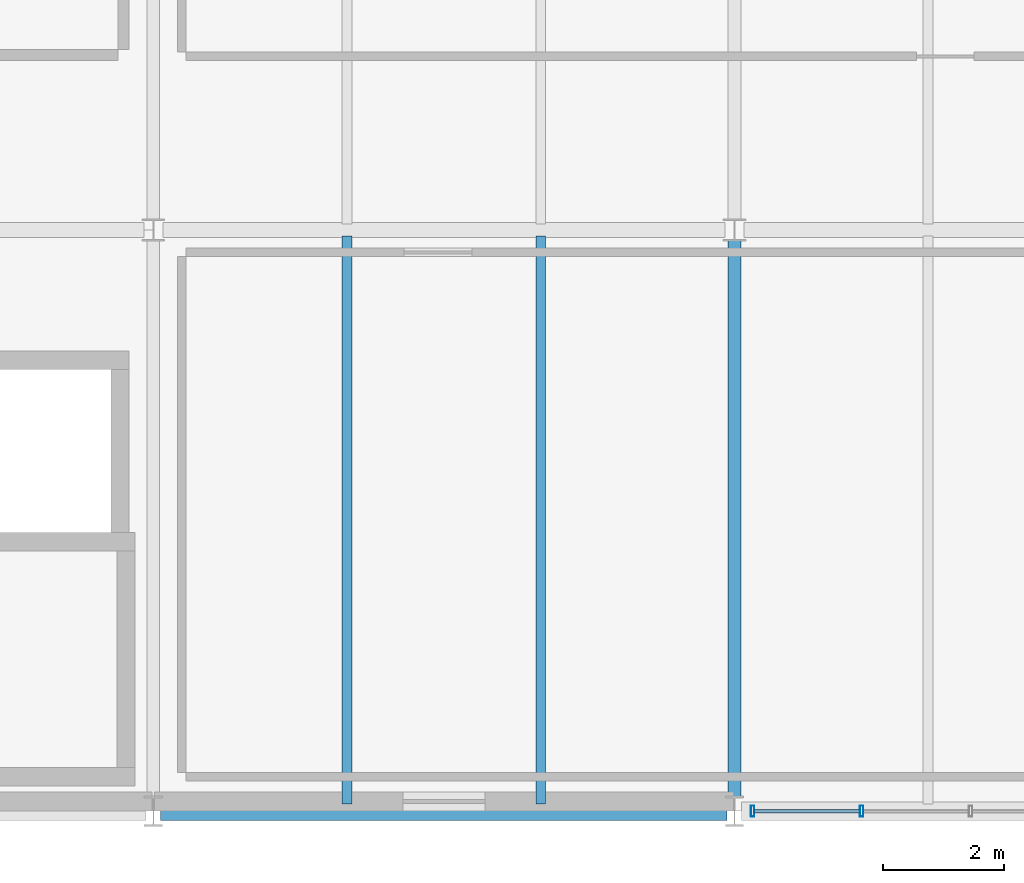
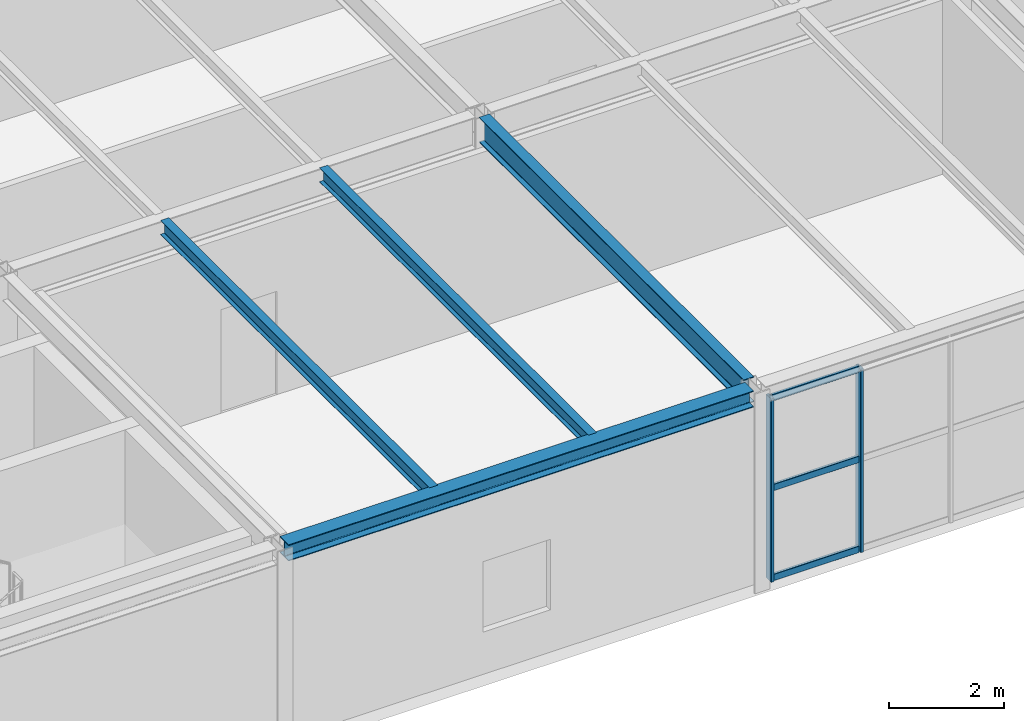
# One storey, part 29 of 170: 5 members, 4 beams, 1 element without a shape of its own.
"""IFC4 building model written with IfcOpenShell, lengths in metres."""

import ifcopenshell
import ifcopenshell.guid

model = None  # the IFC model being written
_history = None  # IfcOwnerHistory: only IFC2X3 demands one
_inside = {}  # id of a spatial element -> (the spatial element, [elements in it])
_under = {}  # id of a project, library or spatial element -> (it, [spatial elements below it])
_declared = {}  # id of a project -> (the project, [libraries it declares])
_typed = {}  # id of a type object -> (the type object, [elements of that type])
_made_of = {}  # id of a material, layer set ... -> (it, [elements and type objects made of it])


def new_model(schema):
    """Start an empty IFC model of exactly this schema.

    Asked for "IFC4X3", IfcOpenShell would pick the latest addendum, in which some entities
    have other attributes; the version numbers below select the first issue.
    IFC2X3 requires an IfcOwnerHistory on every rooted entity: one is made here for all.
    """
    global model, _history
    if schema == "IFC4X3":
        model = ifcopenshell.file(schema_version=(4, 3, 0, 0))
    else:
        model = ifcopenshell.file(schema=schema)
    _inside.clear()
    _under.clear()
    _declared.clear()
    _typed.clear()
    _made_of.clear()
    _history = None
    if model.schema == "IFC2X3":
        org = make("IfcOrganization", Name="unknown")
        user = make(
            "IfcPersonAndOrganization",
            ThePerson=make("IfcPerson", FamilyName="unknown"),
            TheOrganization=org,
        )
        app = make(
            "IfcApplication",
            ApplicationDeveloper=org,
            Version="unknown",
            ApplicationFullName="unknown",
            ApplicationIdentifier="unknown",
        )
        _history = make(
            "IfcOwnerHistory",
            OwningUser=user,
            OwningApplication=app,
            ChangeAction="ADDED",
            CreationDate=0,
        )
    return model


def make(cls, **values):
    """One entity of the class cls with the attributes given. An attribute that is None is left unset."""
    return model.create_entity(
        cls, **{name: value for name, value in values.items() if value is not None}
    )


def rooted(cls, **values):
    """An entity with a GlobalId (a new one), such as an element, a storey or a relation."""
    return make(cls, GlobalId=ifcopenshell.guid.new(), OwnerHistory=_history, **values)


def si_unit(unit_type, name, prefix=None):
    """IfcSIUnit, for example si_unit("LENGTHUNIT", "METRE", prefix="MILLI")."""
    return make("IfcSIUnit", UnitType=unit_type, Prefix=prefix, Name=name)


def assignment(units):
    """IfcUnitAssignment: the units of a project."""
    return None if units is None else make("IfcUnitAssignment", Units=units)


def point(xyz):
    """IfcCartesianPoint."""
    return None if xyz is None else make("IfcCartesianPoint", Coordinates=xyz)


def direction(xyz):
    """IfcDirection."""
    return None if xyz is None else make("IfcDirection", DirectionRatios=xyz)


def frame(location, z_axis=None, x_axis=None):
    """IfcAxis2Placement3D, a coordinate frame: its origin and axes. An axis left out is left unset."""
    return make(
        "IfcAxis2Placement3D",
        Location=point(location),
        Axis=direction(z_axis),
        RefDirection=direction(x_axis),
    )


def frame_2d(location, x_axis=None):
    """IfcAxis2Placement2D, a coordinate frame in the plane: its origin and x axis."""
    return make(
        "IfcAxis2Placement2D", Location=point(location), RefDirection=direction(x_axis)
    )


def origin():
    """The frame at (0, 0, 0) with its axes left unset."""
    return frame((0.0, 0.0, 0.0))


def origin_2d():
    """The frame at (0, 0) in the plane with its x axis left unset."""
    return frame_2d((0.0, 0.0))


def place(relative_to, where):
    """IfcLocalPlacement: puts the frame where relative to a parent placement (None: the world)."""
    return make(
        "IfcLocalPlacement", PlacementRelTo=relative_to, RelativePlacement=where
    )


def context(
    kind, dimensions, precision=None, world=None, true_north=None, identifier=None
):
    """IfcGeometricRepresentationContext, for example the 3D "Model" context."""
    return make(
        "IfcGeometricRepresentationContext",
        ContextIdentifier=identifier,
        ContextType=kind,
        CoordinateSpaceDimension=dimensions,
        Precision=precision,
        WorldCoordinateSystem=world,
        TrueNorth=true_north,
    )


def subcontext(parent, identifier, kind, view, scale=None):
    """IfcGeometricRepresentationSubContext, for example "Body" below "Model"."""
    return make(
        "IfcGeometricRepresentationSubContext",
        ContextIdentifier=identifier,
        ContextType=kind,
        ParentContext=parent,
        TargetScale=scale,
        TargetView=view,
    )


def project(units=None, contexts=None):
    """IfcProject with its units and contexts."""
    return rooted(
        "IfcProject",
        Name="project",
        RepresentationContexts=contexts,
        UnitsInContext=assignment(units),
    )


def spatial(cls, under=None, at=None, **own):
    """A site, building, storey or space (cls), placed at a placement, below another one or the project."""
    s = rooted(cls, ObjectPlacement=at, **own)
    if under is not None:
        _under.setdefault(under.id(), (under, []))[1].append(s)
    return s


def profile(cls, at=None, kind="AREA", **sizes):
    """A parametric profile (cls). Its sizes go by their IFC names, for example OverallWidth=200.0."""
    return make(cls, ProfileType=kind, Position=at, **sizes)


def hollow_rectangle(**sizes):
    """IfcRectangleHollowProfileDef."""
    return profile("IfcRectangleHollowProfileDef", **sizes)


def i_section(**sizes):
    """IfcIShapeProfileDef."""
    return profile("IfcIShapeProfileDef", **sizes)


def extrude(swept, where, along, depth):
    """IfcExtrudedAreaSolid: the profile swept, set in the frame where, extruded along a direction by depth."""
    return make(
        "IfcExtrudedAreaSolid",
        SweptArea=swept,
        Position=where,
        ExtrudedDirection=direction(along),
        Depth=depth,
    )


def shape(context_of_items, identifier, shape_type, items):
    """IfcShapeRepresentation: the items that make up one representation, for example the "Body"."""
    return make(
        "IfcShapeRepresentation",
        ContextOfItems=context_of_items,
        RepresentationIdentifier=identifier,
        RepresentationType=shape_type,
        Items=items,
    )


def material(Name=None, Category=None):
    """IfcMaterial."""
    return make("IfcMaterial", Name=Name, Category=Category)


def material_profile(
    of_material, cross_section, Name=None, Category=None, Priority=None
):
    """IfcMaterialProfile: a cross section and its material."""
    return make(
        "IfcMaterialProfile",
        Name=Name,
        Material=of_material,
        Profile=cross_section,
        Priority=Priority,
        Category=Category,
    )


def profile_set(profiles, Name=None, composite=None):
    """IfcMaterialProfileSet."""
    return make(
        "IfcMaterialProfileSet",
        Name=Name,
        MaterialProfiles=profiles,
        CompositeProfile=composite,
    )


def made_of(thing, what):
    """Note that an element or type object is made of a material, layer set ...; save() writes the relation."""
    if what is not None:
        _made_of.setdefault(what.id(), (what, []))[1].append(thing)
    return thing


def type_object(cls, material=None, **own):
    """A type object (cls), such as IfcWallType, which elements share."""
    return made_of(rooted(cls, **own), material)


def element(
    cls,
    number,
    at=None,
    inside=None,
    cuts=None,
    type_object=None,
    material=None,
    context=None,
    identifier="Body",
    shape_type=None,
    held_by="IfcProductDefinitionShape",
    body=None,
    shapes=None,
    **own,
):
    """One element of the class cls, such as IfcWall. Its Tag is "e" and its number.

    at: its placement. inside: the storey or other place that contains it. cuts: it is an
    opening in that element (IfcRelVoidsElement). A single representation is given by context,
    identifier, shape_type and body (its items); several are given by shapes. held_by: the class
    of the entity that holds the representations. save() writes the other relations.
    """
    e = rooted(cls, Tag="e%d" % number, ObjectPlacement=at, **own)
    if body is not None:
        shapes = [shape(context, identifier, shape_type, body)]
    if shapes is not None:
        e.Representation = make(held_by, Representations=shapes)
    if inside is not None:
        _inside.setdefault(inside.id(), (inside, []))[1].append(e)
    if cuts is not None:
        rooted(
            "IfcRelVoidsElement", RelatingBuildingElement=cuts, RelatedOpeningElement=e
        )
    if type_object is not None:
        _typed.setdefault(type_object.id(), (type_object, []))[1].append(e)
    return made_of(e, material)


def aggregate(whole, parts):
    """IfcRelAggregates: a whole, such as a stair, and the parts it consists of."""
    return rooted("IfcRelAggregates", RelatingObject=whole, RelatedObjects=parts)


def save(model, path):
    """Write the relations noted so far, then the file.

    IfcRelAggregates (storeys below a building ...), IfcRelContainedInSpatialStructure (elements
    in a storey), IfcRelDefinesByType, IfcRelAssociatesMaterial and IfcRelDeclares: one each for
    every whole, place, type object, material and project.
    """
    for whole, parts in _under.values():
        aggregate(whole, parts)
    for where, things in _inside.values():
        rooted(
            "IfcRelContainedInSpatialStructure",
            RelatedElements=things,
            RelatingStructure=where,
        )
    for kind, things in _typed.values():
        rooted("IfcRelDefinesByType", RelatedObjects=things, RelatingType=kind)
    for what, things in _made_of.values():
        rooted("IfcRelAssociatesMaterial", RelatedObjects=things, RelatingMaterial=what)
    for by, libraries in _declared.values():
        rooted("IfcRelDeclares", RelatingContext=by, RelatedDefinitions=libraries)
    model.write(path)


model = new_model("IFC4")

# Units and contexts
model_context = context("Model", 3, precision=1e-05, world=origin(), true_north=direction((0.0, 1.0)))
body_context = subcontext(model_context, "Body", "Model", "MODEL_VIEW")
ifc_project = project(units=[si_unit("LENGTHUNIT", "METRE"), si_unit("AREAUNIT", "SQUARE_METRE"), si_unit("VOLUMEUNIT", "CUBIC_METRE"), si_unit("PLANEANGLEUNIT", "RADIAN"), si_unit("MASSUNIT", "GRAM", prefix="KILO")], contexts=[model_context])

# Site, building, storey
site_placement = place(None, origin())
site = spatial("IfcSite", under=ifc_project, at=site_placement, CompositionType="ELEMENT")
building_placement = place(site_placement, origin())
building = spatial("IfcBuilding", under=site, at=building_placement, Name="Coralgate Yard Interchange", CompositionType="ELEMENT")
storey_placement = place(building_placement, frame((0.0, 0.0, 6.0)))
storey = spatial("IfcBuildingStorey", under=building, at=storey_placement, Name="L01", CompositionType="ELEMENT", Elevation=6.0)

# Beams
ifc_material_1 = material(Name="Structural steel S355J2", Category="steel")
ifc_material_profile_1 = material_profile(ifc_material_1, i_section(OverallWidth=0.209228515625, OverallDepth=0.533203125, WebThickness=0.010009765625, FlangeThickness=0.015625, FilletRadius=0.0126953125, at=origin_2d()), Name="UB 533x210x92")
ifc_profile_set_1 = profile_set([ifc_material_profile_1], Name="Structural steel S355J2")
beam_type_1 = type_object("IfcBeamType", Name="BM-SB-1", PredefinedType="BEAM", material=ifc_profile_set_1)
beam_1_placement = place(storey_placement, frame((38.39990234375, 0.219970703125, 3.9833984375), z_axis=(0.0, 1.0, 0.0), x_axis=(-1.0, 0.0, 0.0)))
element("IfcBeam", 1, at=beam_1_placement, inside=storey, type_object=beam_type_1, Name="L01 primary grid girder X4 Y0-1", PredefinedType="BEAM", context=body_context, shape_type="SweptSolid", body=[
    extrude(i_section(OverallWidth=0.209228515625, OverallDepth=0.533203125, WebThickness=0.010009765625, FlangeThickness=0.015625, FilletRadius=0.0126953125, at=origin_2d()), origin(), (0.0, 0.0, 1.0), 9.225830078125),
])
ifc_material_profile_2 = material_profile(ifc_material_1, i_section(OverallWidth=0.1650390625, OverallDepth=0.303466796875, WebThickness=0.006103515625, FlangeThickness=0.01025390625, FilletRadius=0.0087890625, at=origin_2d()), Name="UB 305x165x40")
ifc_profile_set_2 = profile_set([ifc_material_profile_2], Name="Structural steel S355J2")
beam_type_2 = type_object("IfcBeamType", Name="BM-SJ-1", PredefinedType="JOIST", material=ifc_profile_set_2)
for number, where, z_axis, x_axis, name in (
    (2, (32.0, 0.1201171875, 4.098388671875), (0.0, 1.0, 0.0), (-1.0, 0.0, 0.0), "L01 composite floor joist 3-0-1"),
    (3, (35.199951171875, 0.1201171875, 4.098388671875), (0.0, 1.0, 0.0), (-1.0, 0.0, 0.0), "L01 composite floor joist 3-0-2"),
):
    element("IfcBeam", number, at=place(storey_placement, frame(where, z_axis=z_axis, x_axis=x_axis)), inside=storey, type_object=beam_type_2, Name=name, PredefinedType="JOIST", context=body_context, shape_type="SweptSolid", body=[
        extrude(i_section(OverallWidth=0.1650390625, OverallDepth=0.303466796875, WebThickness=0.006103515625, FlangeThickness=0.01025390625, FilletRadius=0.0087890625, at=origin_2d()), origin(), (0.0, 0.0, 1.0), 9.383056640625),
    ])
ifc_material_profile_3 = material_profile(ifc_material_1, i_section(OverallWidth=0.300048828125, OverallDepth=0.35009765625, WebThickness=0.010009765625, FlangeThickness=0.017578125, FilletRadius=0.027099609375, at=origin_2d()), Name="HEA 360")
ifc_profile_set_3 = profile_set([ifc_material_profile_3], Name="Structural steel S355J2")
beam_type_3 = type_object("IfcBeamType", Name="BM-SP-1", PredefinedType="SPANDREL", material=ifc_profile_set_3)
beam_2_placement = place(storey_placement, frame((28.919921875, 0.0, 4.074951171875), z_axis=(1.0, 0.0, 0.0), x_axis=(0.0, 1.0, 0.0)))
element("IfcBeam", 4, at=beam_2_placement, inside=storey, type_object=beam_type_3, Name="L01 primary grid beam Y0 X3-4", PredefinedType="SPANDREL", context=body_context, shape_type="SweptSolid", body=[
    extrude(i_section(OverallWidth=0.300048828125, OverallDepth=0.35009765625, WebThickness=0.010009765625, FlangeThickness=0.017578125, FilletRadius=0.027099609375, at=origin_2d()), origin(), (0.0, 0.0, 1.0), 9.360107421875),
])

# Curtain wall, members
ifc_material_2 = material(Name="Anodised coastal aluminium and solar-control low-E glass", Category="aluminium")
curtain_wall_type = type_object("IfcCurtainWallType", Name="CW-CW-L01-B", PredefinedType="NOTDEFINED", material=ifc_material_2)
curtain_wall_placement = place(storey_placement, origin())
curtain_wall = element("IfcCurtainWall", 5, at=curtain_wall_placement, inside=storey, type_object=curtain_wall_type, Name="L01 unitised curtain wall CW-L01-S-04-00", PredefinedType="NOTDEFINED")
ifc_material_3 = material(Name="Anodised coastal aluminium 6063-T6", Category="aluminium")
ifc_material_profile_4 = material_profile(ifc_material_3, hollow_rectangle(XDim=0.06005859375, YDim=0.179931640625, WallThickness=0.00390625, InnerFilletRadius=0.00390625, OuterFilletRadius=0.008056640625, at=origin_2d()), Name="ALU 60x180x4")
ifc_profile_set_4 = profile_set([ifc_material_profile_4], Name="Anodised coastal aluminium 6063-T6")
member_type_1 = type_object("IfcMemberType", Name="MB-MUL-180", PredefinedType="MULLION", material=ifc_profile_set_4)
member_1_placement = place(storey_placement, frame((40.5, 0.0, 0.0), z_axis=(0.0, 0.0, 1.0), x_axis=(1.0, 0.0, 0.0)))
member_1 = element("IfcMember", 6, at=member_1_placement, type_object=member_type_1, Name="CW-L01-S-04-00 vertical mullion 5", PredefinedType="MULLION", context=body_context, shape_type="SweptSolid", body=[
    extrude(hollow_rectangle(XDim=0.06005859375, YDim=0.179931640625, WallThickness=0.00390625, InnerFilletRadius=0.00390625, OuterFilletRadius=0.008056640625, at=origin_2d()), origin(), (0.0, 0.0, 1.0), 3.89990234375),
])
member_2_placement = place(storey_placement, frame((38.699951171875, 0.0, 0.0), z_axis=(0.0, 0.0, 1.0), x_axis=(1.0, 0.0, 0.0)))
member_2 = element("IfcMember", 7, at=member_2_placement, type_object=member_type_1, Name="CW-L01-S-04-00 vertical mullion 6", PredefinedType="MULLION", context=body_context, shape_type="SweptSolid", body=[
    extrude(hollow_rectangle(XDim=0.06005859375, YDim=0.179931640625, WallThickness=0.00390625, InnerFilletRadius=0.00390625, OuterFilletRadius=0.008056640625, at=origin_2d()), origin(), (0.0, 0.0, 1.0), 3.89990234375),
])
ifc_material_profile_5 = material_profile(ifc_material_3, hollow_rectangle(XDim=0.06005859375, YDim=0.139892578125, WallThickness=0.00341796875, InnerFilletRadius=0.00341796875, OuterFilletRadius=0.007080078125, at=origin_2d()), Name="ALU 60x140x3.5")
ifc_profile_set_5 = profile_set([ifc_material_profile_5], Name="Anodised coastal aluminium 6063-T6")
member_type_2 = type_object("IfcMemberType", Name="MB-TRN-140", PredefinedType="USERDEFINED", material=ifc_profile_set_5)
member_3_placement = place(storey_placement, frame((40.469970703125, 0.0, 0.034912109375), z_axis=(-1.0, 0.0, 0.0), x_axis=(0.0, -1.0, 0.0)))
member_3 = element("IfcMember", 8, at=member_3_placement, type_object=member_type_2, Name="CW-L01-S-04-00 horizontal transom 5-1", ObjectType="TRANSOM", PredefinedType="USERDEFINED", context=body_context, shape_type="SweptSolid", body=[
    extrude(hollow_rectangle(XDim=0.06005859375, YDim=0.139892578125, WallThickness=0.00341796875, InnerFilletRadius=0.00341796875, OuterFilletRadius=0.007080078125, at=origin_2d()), origin(), (0.0, 0.0, 1.0), 1.739990234375),
])
member_4_placement = place(storey_placement, frame((40.469970703125, 0.0, 1.949951171875), z_axis=(-1.0, 0.0, 0.0), x_axis=(0.0, -1.0, 0.0)))
member_4 = element("IfcMember", 9, at=member_4_placement, type_object=member_type_2, Name="CW-L01-S-04-00 horizontal transom 5-2", ObjectType="TRANSOM", PredefinedType="USERDEFINED", context=body_context, shape_type="SweptSolid", body=[
    extrude(hollow_rectangle(XDim=0.06005859375, YDim=0.139892578125, WallThickness=0.00341796875, InnerFilletRadius=0.00341796875, OuterFilletRadius=0.007080078125, at=origin_2d()), origin(), (0.0, 0.0, 1.0), 1.739990234375),
])
member_5_placement = place(storey_placement, frame((40.469970703125, 0.0, 3.864990234375), z_axis=(-1.0, 0.0, 0.0), x_axis=(0.0, -1.0, 0.0)))
member_5 = element("IfcMember", 10, at=member_5_placement, type_object=member_type_2, Name="CW-L01-S-04-00 horizontal transom 5-3", ObjectType="TRANSOM", PredefinedType="USERDEFINED", context=body_context, shape_type="SweptSolid", body=[
    extrude(hollow_rectangle(XDim=0.06005859375, YDim=0.139892578125, WallThickness=0.00341796875, InnerFilletRadius=0.00341796875, OuterFilletRadius=0.007080078125, at=origin_2d()), origin(), (0.0, 0.0, 1.0), 1.739990234375),
])
aggregate(curtain_wall, [member_1, member_2, member_3, member_4, member_5])

save(model, "model.ifc")
